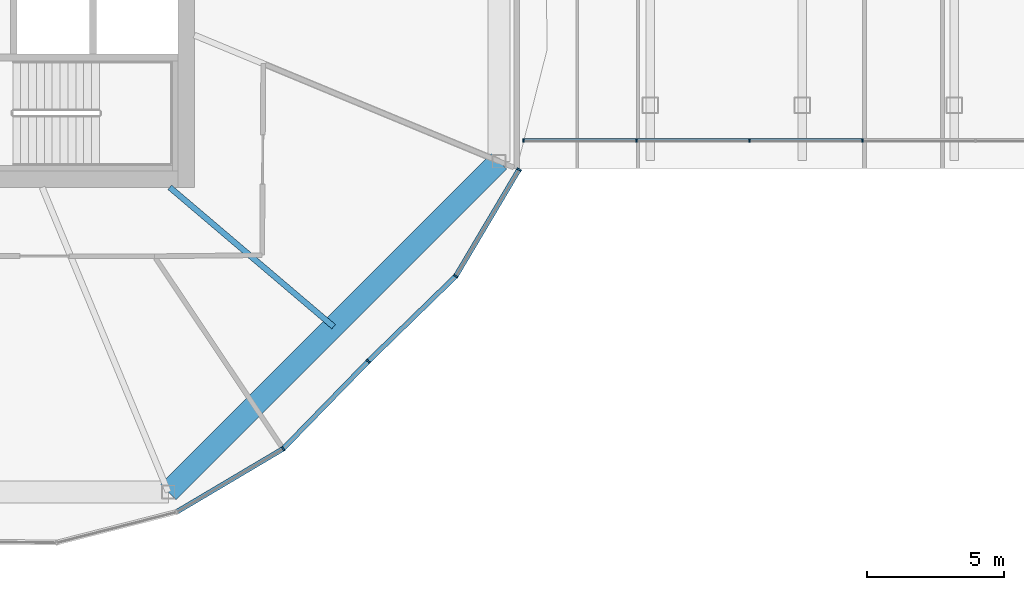
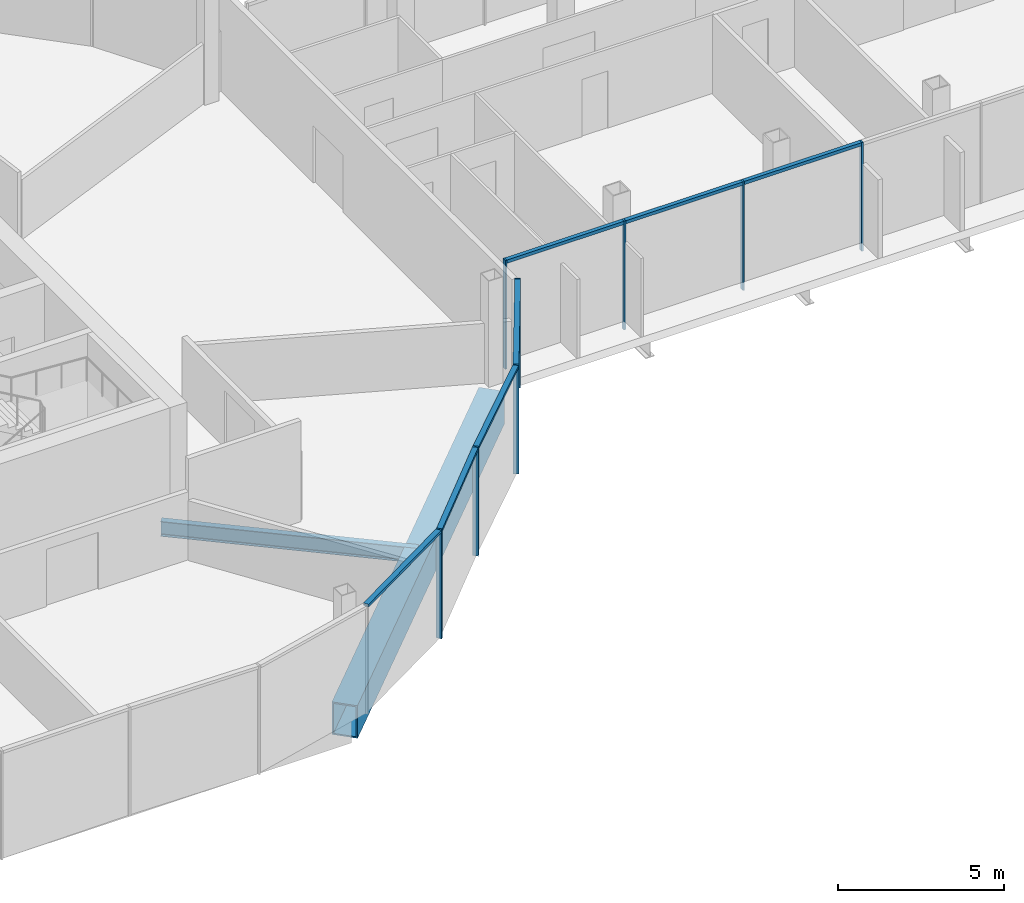
# One storey, part 5 of 26: 15 members, 2 beams, 3 elements without a shape of their own.
"""IFC4 building model written with IfcOpenShell, lengths in metres."""

from ifc_helpers import new_model, si_unit, direction, frame, origin, origin_2d, place, context, subcontext, project, spatial, rectangle, hollow_rectangle, i_section, extrude, material, material_profile, profile_set, type_object, element, aggregate, save


model = new_model("IFC4")

# Units and contexts
model_context = context("Model", 3, precision=1e-05, world=origin(), true_north=direction((0.0, 1.0)))
body_context = subcontext(model_context, "Body", "Model", "MODEL_VIEW")
ifc_project = project(units=[si_unit("LENGTHUNIT", "METRE"), si_unit("AREAUNIT", "SQUARE_METRE"), si_unit("VOLUMEUNIT", "CUBIC_METRE"), si_unit("PLANEANGLEUNIT", "RADIAN"), si_unit("MASSUNIT", "GRAM", prefix="KILO")], contexts=[model_context])

# Site, building, storey
site_placement = place(None, origin())
site = spatial("IfcSite", under=ifc_project, at=site_placement, CompositionType="ELEMENT")
building_placement = place(site_placement, origin())
building = spatial("IfcBuilding", under=site, at=building_placement, Name="Ogive Gate Towers", CompositionType="ELEMENT")
storey_placement = place(building_placement, frame((0.0, 0.0, 156.800048828125)))
storey = spatial("IfcBuildingStorey", under=building, at=storey_placement, Name="L37", CompositionType="ELEMENT", Elevation=156.800048828125)

# Beam
ifc_material_1 = material(Name="Steel SM460", Category="steel")
ifc_material_profile_1 = material_profile(ifc_material_1, hollow_rectangle(XDim=0.800048828125, YDim=1.199951171875, WallThickness=0.050048828125, at=origin_2d()), Name="BX 1200x800x50")
ifc_profile_set_1 = profile_set([ifc_material_profile_1], Name="Steel SM460")
beam_type_1 = type_object("IfcBeamType", Name="Edge girder BX 1200x800x50", PredefinedType="BEAM", material=ifc_profile_set_1)
beam_1_placement = place(storey_placement, frame((-27.450927734375, -20.639404296875, -0.900146484375), z_axis=(0.707106781187, 0.707106781187, 0.0), x_axis=(-0.707106781187, 0.707106781187, 0.0)))
element("IfcBeam", 1, at=beam_1_placement, inside=storey, type_object=beam_type_1, Name="T1/L37/SBM019", PredefinedType="BEAM", context=body_context, shape_type="SweptSolid", body=[
    extrude(hollow_rectangle(XDim=0.800048828125, YDim=1.199951171875, WallThickness=0.050048828125, at=origin_2d()), origin(), (0.0, 0.0, 1.0), 17.098388671875),
])

# Curtain wall, members
ifc_material_2 = material(Name="Pale metal aluminium", Category="aluminium")
curtain_wall_type_1 = type_object("IfcCurtainWallType", Name="Gate block facade", PredefinedType="NOTDEFINED", material=ifc_material_2)
curtain_wall_1_placement = place(storey_placement, origin())
curtain_wall_1 = element("IfcCurtainWall", 2, at=curtain_wall_1_placement, inside=storey, type_object=curtain_wall_type_1, Name="CW3 BR ECW01", PredefinedType="NOTDEFINED")
ifc_material_profile_2 = material_profile(ifc_material_2, rectangle(XDim=0.139892578125, YDim=0.06005859375, at=origin_2d()), Name="60 x 140 aluminium box")
ifc_profile_set_2 = profile_set([ifc_material_profile_2], Name="Pale metal aluminium")
member_type_1 = type_object("IfcMemberType", Name="Gate block facade mullion 60 x 140", PredefinedType="MULLION", material=ifc_profile_set_2)
member_1_placement = place(storey_placement, frame((-14.458251953125, -7.787109375, -0.300048828125), z_axis=(0.0, 0.0, 1.0), x_axis=(0.0, -1.0, 0.0)))
member_1 = element("IfcMember", 3, at=member_1_placement, type_object=member_type_1, Name="CW3 mullion", PredefinedType="MULLION", context=body_context, shape_type="SweptSolid", body=[
    extrude(rectangle(XDim=0.139892578125, YDim=0.06005859375, at=origin_2d()), origin(), (0.0, 0.0, 1.0), 4.0),
])
member_2_placement = place(storey_placement, frame((-10.327392578125, -7.787109375, -0.300048828125), z_axis=(0.0, 0.0, 1.0), x_axis=(0.0, -1.0, 0.0)))
member_2 = element("IfcMember", 4, at=member_2_placement, type_object=member_type_1, Name="CW3 mullion", PredefinedType="MULLION", context=body_context, shape_type="SweptSolid", body=[
    extrude(rectangle(XDim=0.139892578125, YDim=0.06005859375, at=origin_2d()), origin(), (0.0, 0.0, 1.0), 4.0),
])
member_3_placement = place(storey_placement, frame((-6.1962890625, -7.787109375, -0.300048828125), z_axis=(0.0, 0.0, 1.0), x_axis=(0.0, -1.0, 0.0)))
member_3 = element("IfcMember", 5, at=member_3_placement, type_object=member_type_1, Name="CW3 mullion", PredefinedType="MULLION", context=body_context, shape_type="SweptSolid", body=[
    extrude(rectangle(XDim=0.139892578125, YDim=0.06005859375, at=origin_2d()), origin(), (0.0, 0.0, 1.0), 4.0),
])
member_4_placement = place(storey_placement, frame((-2.0654296875, -7.787109375, -0.300048828125), z_axis=(0.0, 0.0, 1.0), x_axis=(0.0, -1.0, 0.0)))
member_4 = element("IfcMember", 6, at=member_4_placement, type_object=member_type_1, Name="CW3 mullion", PredefinedType="MULLION", context=body_context, shape_type="SweptSolid", body=[
    extrude(rectangle(XDim=0.139892578125, YDim=0.06005859375, at=origin_2d()), origin(), (0.0, 0.0, 1.0), 4.0),
])
ifc_material_profile_3 = material_profile(ifc_material_2, rectangle(XDim=0.139892578125, YDim=0.1201171875, at=origin_2d()), Name="120 x 140 aluminium box")
ifc_profile_set_3 = profile_set([ifc_material_profile_3], Name="Pale metal aluminium")
member_type_2 = type_object("IfcMemberType", Name="Gate block facade transom 120 x 140", PredefinedType="USERDEFINED", material=ifc_profile_set_3)
member_5_placement = place(storey_placement, frame((-14.42822265625, -7.787109375, 3.639892578125), z_axis=(1.0, 0.0, 0.0), x_axis=(0.0, 1.0, 0.0)))
member_5 = element("IfcMember", 7, at=member_5_placement, type_object=member_type_2, Name="CW3 transom", ObjectType="TRANSOM", PredefinedType="USERDEFINED", context=body_context, shape_type="SweptSolid", body=[
    extrude(rectangle(XDim=0.139892578125, YDim=0.1201171875, at=origin_2d()), origin(), (0.0, 0.0, 1.0), 4.07080078125),
])
member_6_placement = place(storey_placement, frame((-10.29736328125, -7.787109375, 3.639892578125), z_axis=(1.0, 0.0, 0.0), x_axis=(0.0, 1.0, 0.0)))
member_6 = element("IfcMember", 8, at=member_6_placement, type_object=member_type_2, Name="CW3 transom", ObjectType="TRANSOM", PredefinedType="USERDEFINED", context=body_context, shape_type="SweptSolid", body=[
    extrude(rectangle(XDim=0.139892578125, YDim=0.1201171875, at=origin_2d()), origin(), (0.0, 0.0, 1.0), 4.071044921875),
])
member_7_placement = place(storey_placement, frame((-6.16650390625, -7.787109375, 3.639892578125), z_axis=(1.0, 0.0, 0.0), x_axis=(0.0, 1.0, 0.0)))
member_7 = element("IfcMember", 9, at=member_7_placement, type_object=member_type_2, Name="CW3 transom", ObjectType="TRANSOM", PredefinedType="USERDEFINED", context=body_context, shape_type="SweptSolid", body=[
    extrude(rectangle(XDim=0.139892578125, YDim=0.1201171875, at=origin_2d()), origin(), (0.0, 0.0, 1.0), 4.071044921875),
])
aggregate(curtain_wall_1, [member_1, member_2, member_5, member_3, member_6, member_4, member_7])

# Beam
ifc_material_3 = material(Name="Steel SM355", Category="steel")
ifc_material_profile_4 = material_profile(ifc_material_3, i_section(OverallWidth=0.2099609375, OverallDepth=0.550048828125, WebThickness=0.010986328125, FlangeThickness=0.01708984375, FilletRadius=0.02392578125, at=origin_2d()), Name="IPE 550")
ifc_profile_set_4 = profile_set([ifc_material_profile_4], Name="Steel SM355")
beam_type_2 = type_object("IfcBeamType", Name="Radial floor beam IPE 550", PredefinedType="BEAM", material=ifc_profile_set_4)
beam_2_placement = place(storey_placement, frame((-27.39990234375, -9.5, -0.574951171875), z_axis=(0.761988324045, -0.647590761222, 0.0), x_axis=(0.647590761222, 0.761988324045, 0.0)))
element("IfcBeam", 10, at=beam_2_placement, inside=storey, type_object=beam_type_2, Name="T1/L37/SBM006", PredefinedType="BEAM", context=body_context, shape_type="SweptSolid", body=[
    extrude(i_section(OverallWidth=0.2099609375, OverallDepth=0.550048828125, WebThickness=0.010986328125, FlangeThickness=0.01708984375, FilletRadius=0.02392578125, at=origin_2d()), origin(), (0.0, 0.0, 1.0), 7.866455078125),
])

# Curtain wall, members
curtain_wall_type_2 = type_object("IfcCurtainWallType", Name="Tower unitised wall, high zone", PredefinedType="NOTDEFINED", material=ifc_material_2)
curtain_wall_2_placement = place(storey_placement, origin())
curtain_wall_2 = element("IfcCurtainWall", 11, at=curtain_wall_2_placement, inside=storey, type_object=curtain_wall_type_2, Name="CW2 T1 ECW07", PredefinedType="NOTDEFINED")
ifc_material_profile_5 = material_profile(ifc_material_2, rectangle(XDim=0.179931640625, YDim=0.06005859375, at=origin_2d()), Name="60 x 180 aluminium box")
ifc_profile_set_5 = profile_set([ifc_material_profile_5], Name="Pale metal aluminium")
member_type_3 = type_object("IfcMemberType", Name="Tower unitised wall, high zone mullion 60 x 180", PredefinedType="MULLION", material=ifc_profile_set_5)
member_8_placement = place(storey_placement, frame((-23.254638671875, -19.06201171875, -0.300048828125), z_axis=(0.0, 0.0, 1.0), x_axis=(0.618710097148, -0.785619383472, 0.0)))
member_8 = element("IfcMember", 12, at=member_8_placement, type_object=member_type_3, Name="CW2 mullion", PredefinedType="MULLION", context=body_context, shape_type="SweptSolid", body=[
    extrude(rectangle(XDim=0.179931640625, YDim=0.06005859375, at=origin_2d()), origin(), (0.0, 0.0, 1.0), 4.0),
])
member_9_placement = place(storey_placement, frame((-20.1396484375, -15.860595703125, -0.300048828125), z_axis=(0.0, 0.0, 1.0), x_axis=(0.716728065687, -0.697352765719, 0.0)))
member_9 = element("IfcMember", 13, at=member_9_placement, type_object=member_type_3, Name="CW2 mullion", PredefinedType="MULLION", context=body_context, shape_type="SweptSolid", body=[
    extrude(rectangle(XDim=0.179931640625, YDim=0.06005859375, at=origin_2d()), origin(), (0.0, 0.0, 1.0), 4.0),
])

curtain_wall_3_placement = place(storey_placement, origin())
curtain_wall_3 = element("IfcCurtainWall", 14, at=curtain_wall_3_placement, inside=storey, type_object=curtain_wall_type_2, Name="CW2 T1 ECW08", PredefinedType="NOTDEFINED")
member_10_placement = place(storey_placement, frame((-16.93798828125, -12.745361328125, -0.300048828125), z_axis=(0.0, 0.0, 1.0), x_axis=(0.785619383472, -0.618710097148, 0.0)))
member_10 = element("IfcMember", 15, at=member_10_placement, type_object=member_type_3, Name="CW2 mullion", PredefinedType="MULLION", context=body_context, shape_type="SweptSolid", body=[
    extrude(rectangle(XDim=0.179931640625, YDim=0.06005859375, at=origin_2d()), origin(), (0.0, 0.0, 1.0), 4.0),
])
member_11_placement = place(storey_placement, frame((-14.629150390625, -8.8505859375, -0.300048828125), z_axis=(0.0, 0.0, 1.0), x_axis=(0.860208488223, -0.509942503415, 0.0)))
member_11 = element("IfcMember", 16, at=member_11_placement, type_object=member_type_3, Name="CW2 mullion", PredefinedType="MULLION", context=body_context, shape_type="SweptSolid", body=[
    extrude(rectangle(XDim=0.179931640625, YDim=0.06005859375, at=origin_2d()), origin(), (0.0, 0.0, 1.0), 4.0),
])

# Member
ifc_material_profile_6 = material_profile(ifc_material_2, rectangle(XDim=0.179931640625, YDim=0.10009765625, at=origin_2d()), Name="100 x 180 aluminium box")
ifc_profile_set_6 = profile_set([ifc_material_profile_6], Name="Pale metal aluminium")
member_type_4 = type_object("IfcMemberType", Name="Tower unitised wall, high zone transom 100 x 180", PredefinedType="USERDEFINED", material=ifc_profile_set_6)
member_12_placement = place(storey_placement, frame((-27.12353515625, -21.355712890625, 3.64990234375), z_axis=(0.860194793579, 0.50996560384, 0.0), x_axis=(-0.50996560384, 0.860194793579, 0.0)))
member_12 = element("IfcMember", 17, at=member_12_placement, type_object=member_type_4, Name="CW2 transom", ObjectType="TRANSOM", PredefinedType="USERDEFINED", context=body_context, shape_type="SweptSolid", body=[
    extrude(rectangle(XDim=0.179931640625, YDim=0.10009765625, at=origin_2d()), origin(), (0.0, 0.0, 1.0), 4.468994140625),
])

member_13_placement = place(storey_placement, frame((-23.234619140625, -19.04150390625, 3.64990234375), z_axis=(0.697348039288, 0.716732664318, 0.0), x_axis=(-0.716732664318, 0.697348039288, 0.0)))
member_13 = element("IfcMember", 18, at=member_13_placement, type_object=member_type_4, Name="CW2 transom", ObjectType="TRANSOM", PredefinedType="USERDEFINED", context=body_context, shape_type="SweptSolid", body=[
    extrude(rectangle(XDim=0.179931640625, YDim=0.10009765625, at=origin_2d()), origin(), (0.0, 0.0, 1.0), 4.408203125),
])

aggregate(curtain_wall_2, [member_8, member_12, member_9, member_13])

member_14_placement = place(storey_placement, frame((-20.117919921875, -15.83935546875, 3.64990234375), z_axis=(0.716732664318, 0.697348039288, 0.0), x_axis=(-0.697348039288, 0.716732664318, 0.0)))
member_14 = element("IfcMember", 19, at=member_14_placement, type_object=member_type_4, Name="CW2 transom", ObjectType="TRANSOM", PredefinedType="USERDEFINED", context=body_context, shape_type="SweptSolid", body=[
    extrude(rectangle(XDim=0.179931640625, YDim=0.10009765625, at=origin_2d()), origin(), (0.0, 0.0, 1.0), 4.408203125),
])

member_15_placement = place(storey_placement, frame((-16.92333984375, -12.720703125, 3.64990234375), z_axis=(0.50996560384, 0.860194793579, 0.0), x_axis=(-0.860194793579, 0.50996560384, 0.0)))
member_15 = element("IfcMember", 20, at=member_15_placement, type_object=member_type_4, Name="CW2 transom", ObjectType="TRANSOM", PredefinedType="USERDEFINED", context=body_context, shape_type="SweptSolid", body=[
    extrude(rectangle(XDim=0.179931640625, YDim=0.10009765625, at=origin_2d()), origin(), (0.0, 0.0, 1.0), 4.468994140625),
])

aggregate(curtain_wall_3, [member_10, member_14, member_11, member_15])

save(model, "model.ifc")
